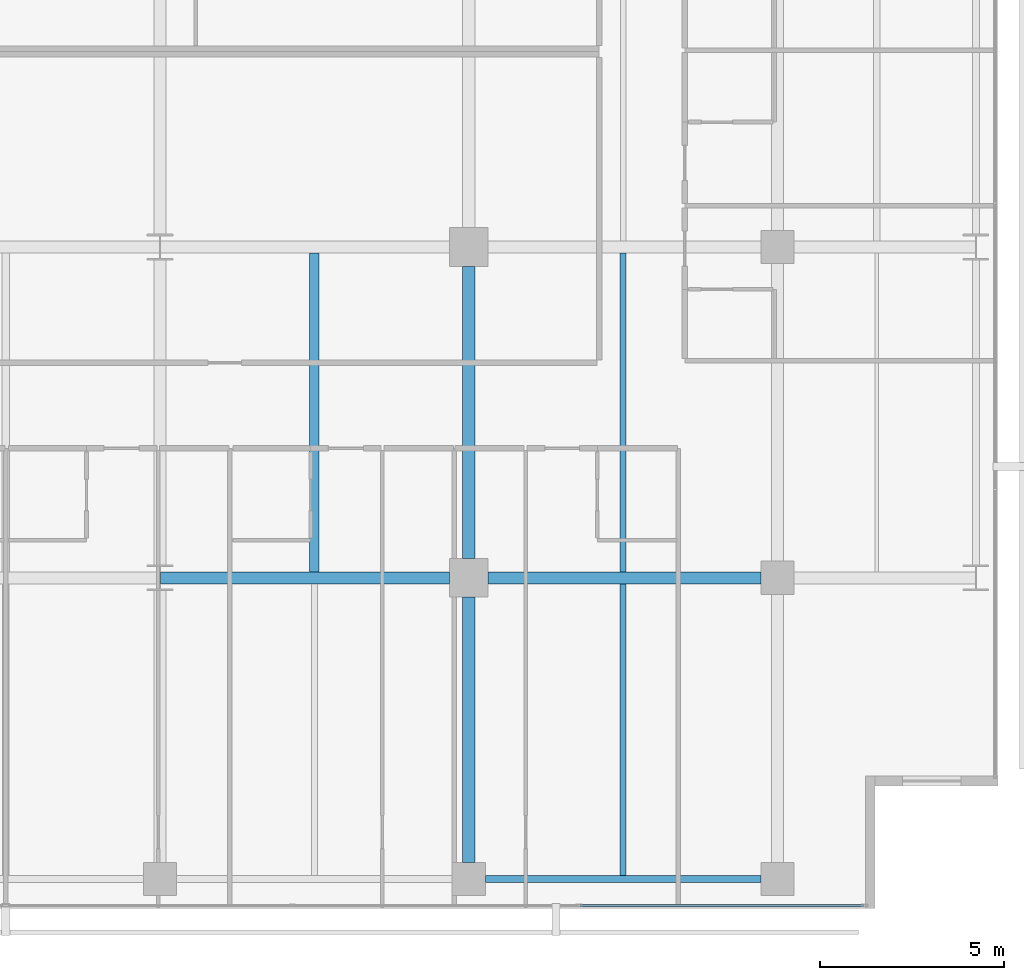
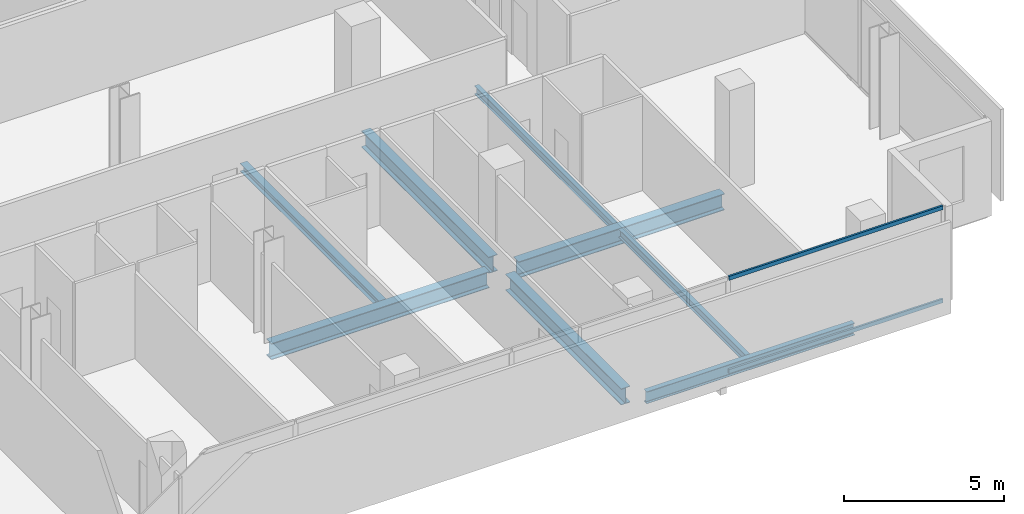
# One storey, part 15 of 40: 8 beams, 2 members, 1 element without a shape of its own.
"""IFC4 building model written with IfcOpenShell, lengths in metres."""

from ifc_helpers import new_model, si_unit, direction, frame, origin, origin_2d, place, context, subcontext, project, spatial, hollow_rectangle, i_section, extrude, material, layer, layer_set, material_profile, profile_set, type_object, element, aggregate, save


model = new_model("IFC4")

# Units and contexts
model_context = context("Model", 3, precision=1e-05, world=origin(), true_north=direction((0.0, 1.0)))
body_context = subcontext(model_context, "Body", "Model", "MODEL_VIEW")
ifc_project = project(units=[si_unit("LENGTHUNIT", "METRE"), si_unit("AREAUNIT", "SQUARE_METRE"), si_unit("VOLUMEUNIT", "CUBIC_METRE"), si_unit("PLANEANGLEUNIT", "RADIAN"), si_unit("MASSUNIT", "GRAM", prefix="KILO")], contexts=[model_context])

# Site, building, storey
site_placement = place(None, origin())
site = spatial("IfcSite", under=ifc_project, at=site_placement, CompositionType="ELEMENT")
building_placement = place(site_placement, origin())
building = spatial("IfcBuilding", under=site, at=building_placement, Name="Maruvema Waterfront Hotel and Observation Tower", CompositionType="ELEMENT")
storey_placement = place(building_placement, frame((0.0, 0.0, 38.5)))
storey = spatial("IfcBuildingStorey", under=building, at=storey_placement, Name="L08", CompositionType="ELEMENT", Elevation=38.5)

# Curtain wall, members
ifc_material_1 = material(Name="Anodised bronze aluminium and solar-control low-E IGU", Category="aluminium")
ifc_layer = layer(ifc_material_1, 0.159912109375, Name="Zone 1 Bronze Inner Thermal Curtain Wall System CW-02")
ifc_layer_set = layer_set([ifc_layer], Name="Anodised bronze aluminium and solar-control low-E IGU")
curtain_wall_type = type_object("IfcCurtainWallType", Name="Zone 1 Bronze Inner Thermal Curtain Wall System CW-02", PredefinedType="USERDEFINED", material=ifc_layer_set)
curtain_wall_placement = place(storey_placement, origin())
curtain_wall = element("IfcCurtainWall", 1, at=curtain_wall_placement, inside=storey, type_object=curtain_wall_type, Name="L08 Curtain Wall CW-L08-S", ObjectType="UNITISED CURTAIN WALL", PredefinedType="USERDEFINED")
ifc_material_2 = material(Name="Anodised architectural bronze aluminium", Category="aluminium")
ifc_material_profile_1 = material_profile(ifc_material_2, hollow_rectangle(XDim=0.070068359375, YDim=0.14990234375, WallThickness=0.00390625, at=origin_2d()), Name="ALU-T70x150")
ifc_profile_set_1 = profile_set([ifc_material_profile_1], Name="Anodised architectural bronze aluminium")
member_type = type_object("IfcMemberType", Name="Curtain Wall Horizontal Transom ALU-T70x150", PredefinedType="USERDEFINED", material=ifc_profile_set_1)
member_1_placement = place(storey_placement, frame((53.429931640625, 0.080078125, 0.030029296875), z_axis=(1.0, 0.0, 0.0), x_axis=(0.0, 1.0, 0.0)))
member_1 = element("IfcMember", 2, at=member_1_placement, type_object=member_type, Name="CW-02 transom 6.1", ObjectType="TRANSOM", PredefinedType="USERDEFINED", context=body_context, shape_type="SweptSolid", body=[
    extrude(hollow_rectangle(XDim=0.070068359375, YDim=0.14990234375, WallThickness=0.00390625, at=origin_2d()), origin(), (0.0, 0.0, 1.0), 7.7099609375),
])
member_2_placement = place(storey_placement, frame((53.429931640625, 0.080078125, 3.580078125), z_axis=(1.0, 0.0, 0.0), x_axis=(0.0, 1.0, 0.0)))
member_2 = element("IfcMember", 3, at=member_2_placement, type_object=member_type, Name="CW-02 transom 6.2", ObjectType="TRANSOM", PredefinedType="USERDEFINED", context=body_context, shape_type="SweptSolid", body=[
    extrude(hollow_rectangle(XDim=0.070068359375, YDim=0.14990234375, WallThickness=0.00390625, at=origin_2d()), origin(), (0.0, 0.0, 1.0), 7.7099609375),
])
aggregate(curtain_wall, [member_1, member_2])

# Beams
ifc_material_3 = material(Name="Steel ASTM A572 Grade 50", Category="steel")
ifc_material_profile_2 = material_profile(ifc_material_3, i_section(OverallWidth=0.18994140625, OverallDepth=0.45703125, WebThickness=0.009033203125, FlangeThickness=0.014404296875, FilletRadius=0.014892578125, at=origin_2d()), Name="W460x74.0")
ifc_profile_set_2 = profile_set([ifc_material_profile_2], Name="Steel ASTM A572 Grade 50")
beam_type_1 = type_object("IfcBeamType", Name="Perimeter Spandrel Beam W460x74.0", PredefinedType="SPANDREL", material=ifc_profile_set_2)
beam_1_placement = place(storey_placement, frame((50.85009765625, 0.800048828125, -0.468505859375), z_axis=(1.0, 0.0, 0.0), x_axis=(0.0, 1.0, 0.0)))
element("IfcBeam", 4, at=beam_1_placement, inside=storey, type_object=beam_type_1, Name="L08 Floor Girder EW-05", PredefinedType="SPANDREL", context=body_context, shape_type="SweptSolid", body=[
    extrude(i_section(OverallWidth=0.18994140625, OverallDepth=0.45703125, WebThickness=0.009033203125, FlangeThickness=0.014404296875, FilletRadius=0.014892578125, at=origin_2d()), origin(), (0.0, 0.0, 1.0), 7.5),
])
ifc_material_4 = material(Name="Steel ASTM A572 Grade 50", Category="steel")
ifc_material_profile_3 = material_profile(ifc_material_4, i_section(OverallWidth=0.326904296875, OverallDepth=0.6220703125, WebThickness=0.015380859375, FlangeThickness=0.0244140625, FilletRadius=0.01806640625, at=origin_2d()), Name="W610x195.0")
ifc_profile_set_3 = profile_set([ifc_material_profile_3], Name="Steel ASTM A572 Grade 50")
beam_type_2 = type_object("IfcBeamType", Name="Primary Floor Girder W610x195.0", PredefinedType="BEAM", material=ifc_profile_set_3)
beam_2_placement = place(storey_placement, frame((42.013916015625, 9.0, -0.551025390625), z_axis=(1.0, 0.0, 0.0), x_axis=(0.0, 1.0, 0.0)))
element("IfcBeam", 5, at=beam_2_placement, inside=storey, type_object=beam_type_2, Name="L08 Floor Girder EW-10", PredefinedType="BEAM", context=body_context, shape_type="SweptSolid", body=[
    extrude(i_section(OverallWidth=0.326904296875, OverallDepth=0.6220703125, WebThickness=0.015380859375, FlangeThickness=0.0244140625, FilletRadius=0.01806640625, at=origin_2d()), origin(), (0.0, 0.0, 1.0), 7.861083984375),
])
beam_3_placement = place(storey_placement, frame((50.925048828125, 9.0, -0.551025390625), z_axis=(1.0, 0.0, 0.0), x_axis=(0.0, 1.0, 0.0)))
element("IfcBeam", 6, at=beam_3_placement, inside=storey, type_object=beam_type_2, Name="L08 Floor Girder EW-11", PredefinedType="BEAM", context=body_context, shape_type="SweptSolid", body=[
    extrude(i_section(OverallWidth=0.326904296875, OverallDepth=0.6220703125, WebThickness=0.015380859375, FlangeThickness=0.0244140625, FilletRadius=0.01806640625, at=origin_2d()), origin(), (0.0, 0.0, 1.0), 7.425048828125),
])
beam_4_placement = place(storey_placement, frame((50.39990234375, 1.25, -0.551025390625), z_axis=(0.0, 1.0, 0.0), x_axis=(-1.0, 0.0, 0.0)))
element("IfcBeam", 7, at=beam_4_placement, inside=storey, type_object=beam_type_2, Name="L08 Floor Girder NS-22", PredefinedType="BEAM", context=body_context, shape_type="SweptSolid", body=[
    extrude(i_section(OverallWidth=0.326904296875, OverallDepth=0.6220703125, WebThickness=0.015380859375, FlangeThickness=0.0244140625, FilletRadius=0.01806640625, at=origin_2d()), origin(), (0.0, 0.0, 1.0), 7.22509765625),
])
beam_5_placement = place(storey_placement, frame((50.39990234375, 9.52490234375, -0.551025390625), z_axis=(0.0, 1.0, 0.0), x_axis=(-1.0, 0.0, 0.0)))
element("IfcBeam", 8, at=beam_5_placement, inside=storey, type_object=beam_type_2, Name="L08 Floor Girder NS-23", PredefinedType="BEAM", context=body_context, shape_type="SweptSolid", body=[
    extrude(i_section(OverallWidth=0.326904296875, OverallDepth=0.6220703125, WebThickness=0.015380859375, FlangeThickness=0.0244140625, FilletRadius=0.01806640625, at=origin_2d()), origin(), (0.0, 0.0, 1.0), 7.9501953125),
])
ifc_material_5 = material(Name="Steel ASTM A572 Grade 50", Category="steel")
ifc_material_profile_4 = material_profile(ifc_material_5, i_section(OverallWidth=0.1650390625, OverallDepth=0.31005859375, WebThickness=0.005859375, FlangeThickness=0.009765625, FilletRadius=0.012939453125, at=origin_2d()), Name="W310x38.7")
ifc_profile_set_4 = profile_set([ifc_material_profile_4], Name="Steel ASTM A572 Grade 50")
beam_type_3 = type_object("IfcBeamType", Name="Secondary Floor Joist W310x38.7", PredefinedType="JOIST", material=ifc_profile_set_4)
beam_6_placement = place(storey_placement, frame((54.60009765625, 9.16357421875, -0.39501953125), z_axis=(0.0, 1.0, 0.0), x_axis=(-1.0, 0.0, 0.0)))
element("IfcBeam", 9, at=beam_6_placement, inside=storey, type_object=beam_type_3, Name="L08 Secondary Floor Joist JS-17", PredefinedType="JOIST", context=body_context, shape_type="SweptSolid", body=[
    extrude(i_section(OverallWidth=0.1650390625, OverallDepth=0.31005859375, WebThickness=0.005859375, FlangeThickness=0.009765625, FilletRadius=0.012939453125, at=origin_2d()), origin(), (0.0, 0.0, 1.0), 8.6728515625),
])
ifc_material_6 = material(Name="Steel ASTM A572 Grade 50", Category="steel")
ifc_material_profile_5 = material_profile(ifc_material_6, i_section(OverallWidth=0.1669921875, OverallDepth=0.31689453125, WebThickness=0.007568359375, FlangeThickness=0.01318359375, FilletRadius=0.012939453125, at=origin_2d()), Name="W310x52.0")
ifc_profile_set_5 = profile_set([ifc_material_profile_5], Name="Steel ASTM A572 Grade 50")
beam_type_4 = type_object("IfcBeamType", Name="Secondary Floor Joist W310x52.0", PredefinedType="JOIST", material=ifc_profile_set_5)
beam_7_placement = place(storey_placement, frame((54.60009765625, 0.89501953125, -0.3984375), z_axis=(0.0, 1.0, 0.0), x_axis=(-1.0, 0.0, 0.0)))
element("IfcBeam", 10, at=beam_7_placement, inside=storey, type_object=beam_type_4, Name="L08 Secondary Floor Joist JS-16", PredefinedType="JOIST", context=body_context, shape_type="SweptSolid", body=[
    extrude(i_section(OverallWidth=0.1669921875, OverallDepth=0.31689453125, WebThickness=0.007568359375, FlangeThickness=0.01318359375, FilletRadius=0.012939453125, at=origin_2d()), origin(), (0.0, 0.0, 1.0), 7.94140625),
])
ifc_material_7 = material(Name="Steel ASTM A572 Grade 50", Category="steel")
ifc_material_profile_6 = material_profile(ifc_material_7, i_section(OverallWidth=0.25390625, OverallDepth=0.305908203125, WebThickness=0.0087890625, FlangeThickness=0.0146484375, FilletRadius=0.014892578125, at=origin_2d()), Name="W310x79.0")
ifc_profile_set_6 = profile_set([ifc_material_profile_6], Name="Steel ASTM A572 Grade 50")
beam_type_5 = type_object("IfcBeamType", Name="Secondary Floor Joist W310x79.0", PredefinedType="JOIST", material=ifc_profile_set_6)
beam_8_placement = place(storey_placement, frame((46.199951171875, 9.16357421875, -0.39306640625), z_axis=(0.0, 1.0, 0.0), x_axis=(-1.0, 0.0, 0.0)))
element("IfcBeam", 11, at=beam_8_placement, inside=storey, type_object=beam_type_5, Name="L08 Secondary Floor Joist JS-15", PredefinedType="JOIST", context=body_context, shape_type="SweptSolid", body=[
    extrude(i_section(OverallWidth=0.25390625, OverallDepth=0.305908203125, WebThickness=0.0087890625, FlangeThickness=0.0146484375, FilletRadius=0.014892578125, at=origin_2d()), origin(), (0.0, 0.0, 1.0), 8.6728515625),
])

save(model, "model.ifc")
